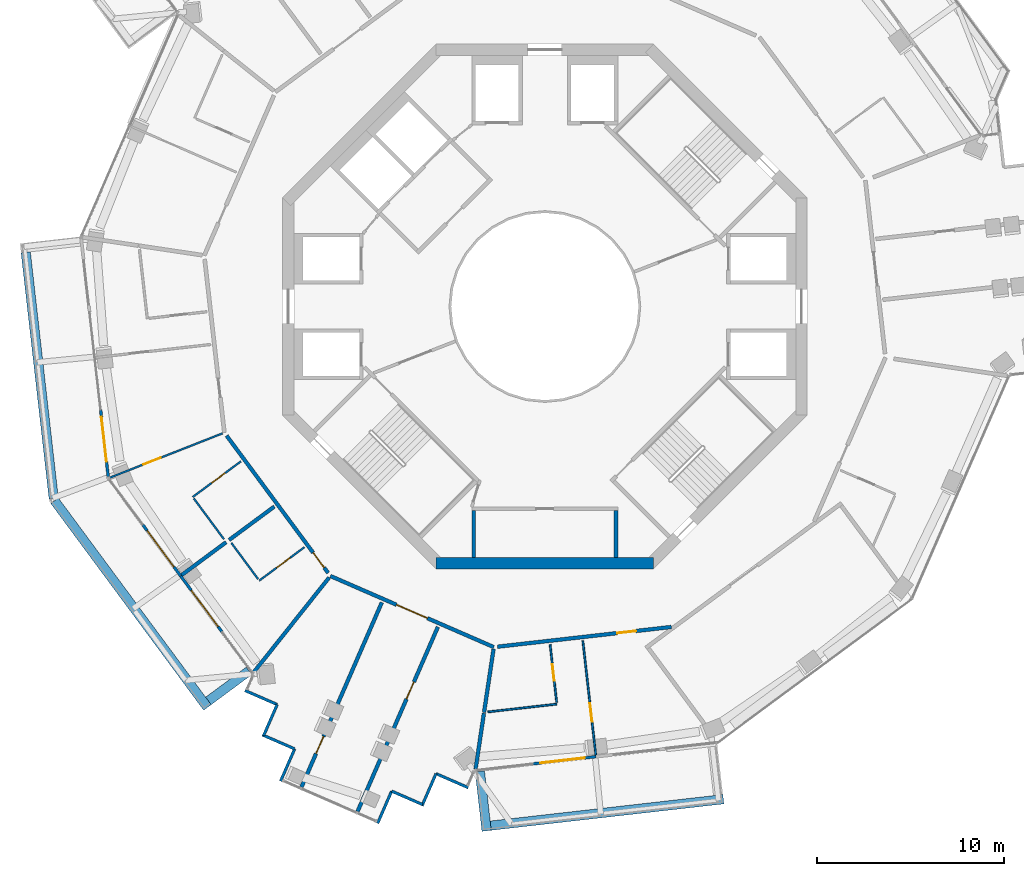
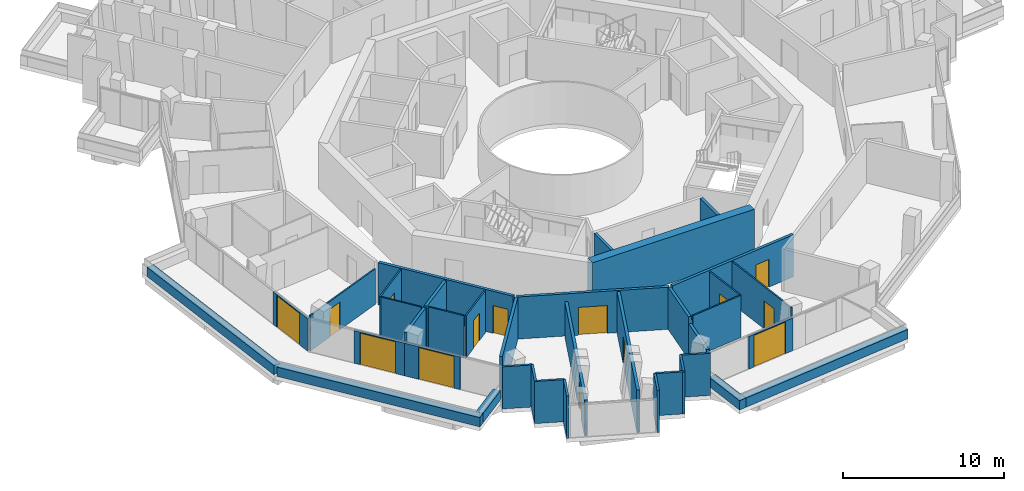
# One storey, part 15 of 23: 38 walls, 14 doors, 14 openings.
"""IFC4 building model written with IfcOpenShell, lengths in metres."""

from ifc_helpers import new_model, si_unit, direction, frame, frame_2d, origin, place, context, subcontext, project, spatial, rectangle, extrude, material, layer, layer_set, type_object, element, fill, save


model = new_model("IFC4")

# Units and contexts
model_context = context("Model", 3, precision=1e-05, world=origin(), true_north=direction((0.0, 1.0)))
body_context = subcontext(model_context, "Body", "Model", "MODEL_VIEW")
ifc_project = project(units=[si_unit("LENGTHUNIT", "METRE"), si_unit("AREAUNIT", "SQUARE_METRE"), si_unit("VOLUMEUNIT", "CUBIC_METRE"), si_unit("PLANEANGLEUNIT", "RADIAN"), si_unit("MASSUNIT", "GRAM", prefix="KILO")], contexts=[model_context])

# Site, building, storey
site_placement = place(None, origin())
site = spatial("IfcSite", under=ifc_project, at=site_placement, CompositionType="ELEMENT")
building_placement = place(site_placement, origin())
building = spatial("IfcBuilding", under=site, at=building_placement, Name="Verdalira Terraces Hotel", CompositionType="ELEMENT")
storey_placement = place(building_placement, frame((0.0, 0.0, 183.5)))
storey = spatial("IfcBuildingStorey", under=building, at=storey_placement, Name="L44", CompositionType="ELEMENT", Elevation=183.5)

# Walls
ifc_material_1 = material(Name="Concrete C40", Category="concrete")
ifc_layer_1 = layer(ifc_material_1, 0.5)
ifc_layer_set_1 = layer_set([ifc_layer_1], Name="Balcony planter trough with tree")
wall_type_1 = type_object("IfcWallType", Name="Balcony planter trough with tree", PredefinedType="SOLIDWALL", material=ifc_layer_set_1)
wall_1_placement = place(storey_placement, frame((-27.71167, 2.891113, 0.0), z_axis=(0.0, 0.0, 1.0), x_axis=(0.112860806, -0.993610808, 0.0)))
element("IfcWall", 1, at=wall_1_placement, inside=storey, type_object=wall_type_1, Name="Balcony planter", PredefinedType="SOLIDWALL", context=body_context, shape_type="SweptSolid", body=[
    extrude(rectangle(XDim=13.223633, YDim=0.5, at=frame_2d((6.611816, 0.0))), origin(), (0.0, 0.0, 1.0), 0.699951),
])
wall_2_placement = place(storey_placement, frame((-26.171875, -10.368408, 0.0), z_axis=(0.0, 0.0, 1.0), x_axis=(0.594546616, -0.804061143, 0.0)))
element("IfcWall", 2, at=wall_2_placement, inside=storey, type_object=wall_type_1, Name="Balcony planter", PredefinedType="SOLIDWALL", context=body_context, shape_type="SweptSolid", body=[
    extrude(rectangle(XDim=13.723389, YDim=0.5, at=frame_2d((6.861816, 0.0))), origin(), (0.0, 0.0, 1.0), 0.699951),
])
wall_3_placement = place(storey_placement, frame((-17.960449, -21.053223, 0.0), z_axis=(0.0, 0.0, 1.0), x_axis=(0.804052053, 0.594558909, 0.0)))
element("IfcWall", 3, at=wall_3_placement, inside=storey, type_object=wall_type_1, Name="Balcony planter", PredefinedType="SOLIDWALL", context=body_context, shape_type="SweptSolid", body=[
    extrude(rectangle(XDim=2.698975, YDim=0.5, at=frame_2d((1.349609, 0.0))), origin(), (0.0, 0.0, 1.0), 0.699951),
])
wall_4_placement = place(storey_placement, frame((-3.472168, -24.809814, 0.0), z_axis=(0.0, 0.0, 1.0), x_axis=(0.112801803, -0.993617508, 0.0)))
element("IfcWall", 4, at=wall_4_placement, inside=storey, type_object=wall_type_1, Name="Balcony planter", PredefinedType="SOLIDWALL", context=body_context, shape_type="SweptSolid", body=[
    extrude(rectangle(XDim=3.198975, YDim=0.5, at=frame_2d((1.599609, 0.0))), origin(), (0.0, 0.0, 1.0), 0.699951),
])
wall_5_placement = place(storey_placement, frame((-2.891113, -27.71167, 0.0), z_axis=(0.0, 0.0, 1.0), x_axis=(0.993611876, 0.112851403, 0.0)))
element("IfcWall", 5, at=wall_5_placement, inside=storey, type_object=wall_type_1, Name="Balcony planter", PredefinedType="SOLIDWALL", context=body_context, shape_type="SweptSolid", body=[
    extrude(rectangle(XDim=12.5, YDim=0.5, at=frame_2d((6.25, 0.0))), origin(), (0.0, 0.0, 1.0), 0.699951),
])
ifc_material_2 = material(Name="Moisture-resistant gypsum board partition")
ifc_layer_2 = layer(ifc_material_2, 0.10009765625)
ifc_layer_set_2 = layer_set([ifc_layer_2], Name="Bathroom partition 100 mm")
wall_type_2 = type_object("IfcWallType", Name="Bathroom partition 100 mm", PredefinedType="PARTITIONING", material=ifc_layer_set_2)
wall_6_placement = place(storey_placement, frame((-18.736816, -10.247803, 0.0), z_axis=(0.0, 0.0, 1.0), x_axis=(0.594546144, -0.804061492, 0.0)))
element("IfcWall", 6, at=wall_6_placement, inside=storey, type_object=wall_type_2, Name="Bathroom partition", PredefinedType="PARTITIONING", context=body_context, shape_type="SweptSolid", body=[
    extrude(rectangle(XDim=2.699951, YDim=0.100098, at=frame_2d((1.350098, 0.0))), origin(), (0.0, 0.0, 1.0), 3.189941),
])

# Wall, opening, door
wall_7_placement = place(storey_placement, frame((-16.223389, -8.264893, 0.0), z_axis=(0.0, 0.0, 1.0), x_axis=(-0.804092095, -0.594504754, 0.0)))
wall_7 = element("IfcWall", 7, at=wall_7_placement, inside=storey, type_object=wall_type_2, Name="Bathroom partition", PredefinedType="PARTITIONING", context=body_context, shape_type="SweptSolid", body=[
    extrude(rectangle(XDim=3.199951, YDim=0.100098, at=frame_2d((1.600098, 0.0))), origin(), (0.0, 0.0, 1.0), 3.189941),
])
opening_1_placement = place(wall_7_placement, frame((1.050049, 0.0, 0.0)))
opening_1 = element("IfcOpeningElement", 8, at=opening_1_placement, cuts=wall_7, Name="Opening L44-111", PredefinedType="OPENING", context=body_context, shape_type="SweptSolid", body=[
    extrude(rectangle(XDim=0.899902, YDim=2.100098, at=frame_2d((0.449951, 1.050049))), frame((0.0, 0.060059, 0.0), z_axis=(0.0, -1.0, 0.0), x_axis=(1.0, 0.0, 0.0)), (0.0, 0.0, 1.0), 0.120117),
])
ifc_material_3 = material(Name="Timber door", Category="wood")
door_type_1 = type_object("IfcDoorType", Name="Bathroom door 900 x 2100", OperationType="NOTDEFINED", PredefinedType="DOOR", material=ifc_material_3)
door_1_placement = place(opening_1_placement, origin())
door_1 = element("IfcDoor", 9, at=door_1_placement, inside=storey, type_object=door_type_1, Name="Bathroom door 4403", OperationType="SINGLE_SWING_RIGHT", OverallHeight=2.10009765625, OverallWidth=0.89990234375, PredefinedType="DOOR", context=body_context, shape_type="SweptSolid", body=[
    extrude(rectangle(XDim=0.899902, YDim=2.100098, at=frame_2d((0.449951, 1.050049))), frame((0.0, 0.024902, 0.0), z_axis=(0.0, -1.0, 0.0), x_axis=(1.0, 0.0, 0.0)), (0.0, 0.0, 1.0), 0.050049),
])
fill(opening_1, door_1)

# Wall
wall_8_placement = place(storey_placement, frame((-15.305908, -14.55127, 0.0), z_axis=(0.0, 0.0, 1.0), x_axis=(-0.594534052, 0.804070433, 0.0)))
element("IfcWall", 10, at=wall_8_placement, inside=storey, type_object=wall_type_2, Name="Bathroom partition", PredefinedType="PARTITIONING", context=body_context, shape_type="SweptSolid", body=[
    extrude(rectangle(XDim=2.400146, YDim=0.100098, at=frame_2d((1.200195, 0.0))), origin(), (0.0, 0.0, 1.0), 3.189941),
])

# Wall, opening, door
wall_9_placement = place(storey_placement, frame((-15.246582, -14.631592, 0.0), z_axis=(0.0, 0.0, 1.0), x_axis=(0.804044201, 0.594569527, 0.0)))
wall_9 = element("IfcWall", 11, at=wall_9_placement, inside=storey, type_object=wall_type_2, Name="Bathroom partition", PredefinedType="PARTITIONING", context=body_context, shape_type="SweptSolid", body=[
    extrude(rectangle(XDim=3.0, YDim=0.100098, at=frame_2d((1.5, 0.0))), origin(), (0.0, 0.0, 1.0), 3.189941),
])
opening_2_placement = place(wall_9_placement, frame((1.149902, 0.0, 0.0)))
opening_2 = element("IfcOpeningElement", 12, at=opening_2_placement, cuts=wall_9, Name="Opening L44-113", PredefinedType="OPENING", context=body_context, shape_type="SweptSolid", body=[
    extrude(rectangle(XDim=0.899902, YDim=2.100098, at=frame_2d((0.449951, 1.050049))), frame((0.0, 0.060059, 0.0), z_axis=(0.0, -1.0, 0.0), x_axis=(1.0, 0.0, 0.0)), (0.0, 0.0, 1.0), 0.120117),
])
door_2_placement = place(opening_2_placement, origin())
door_2 = element("IfcDoor", 13, at=door_2_placement, inside=storey, type_object=door_type_1, Name="Bathroom door 4404", OperationType="SINGLE_SWING_LEFT", OverallHeight=2.10009765625, OverallWidth=0.89990234375, PredefinedType="DOOR", context=body_context, shape_type="SweptSolid", body=[
    extrude(rectangle(XDim=0.899902, YDim=2.100098, at=frame_2d((0.449951, 1.050049))), frame((0.0, 0.024902, 0.0), z_axis=(0.0, -1.0, 0.0), x_axis=(1.0, 0.0, 0.0)), (0.0, 0.0, 1.0), 0.050049),
])
fill(opening_2, door_2)

# Wall
wall_10_placement = place(storey_placement, frame((-3.039551, -21.639648, 0.0), z_axis=(0.0, 0.0, 1.0), x_axis=(0.993613151, 0.11284018, 0.0)))
element("IfcWall", 14, at=wall_10_placement, inside=storey, type_object=wall_type_2, Name="Bathroom partition", PredefinedType="PARTITIONING", context=body_context, shape_type="SweptSolid", body=[
    extrude(rectangle(XDim=3.704102, YDim=0.100098, at=frame_2d((1.852051, 0.0))), origin(), (0.0, 0.0, 1.0), 3.189941),
])

# Wall, opening, door
wall_11_placement = place(storey_placement, frame((0.629395, -21.122314, 0.0), z_axis=(0.0, 0.0, 1.0), x_axis=(-0.112851377, 0.993611879, 0.0)))
wall_11 = element("IfcWall", 15, at=wall_11_placement, inside=storey, type_object=wall_type_2, Name="Bathroom partition", PredefinedType="PARTITIONING", context=body_context, shape_type="SweptSolid", body=[
    extrude(rectangle(XDim=3.100098, YDim=0.100098, at=frame_2d((1.550049, 0.0))), origin(), (0.0, 0.0, 1.0), 3.189941),
])
opening_3_placement = place(wall_11_placement, frame((1.149902, 0.0, 0.0)))
opening_3 = element("IfcOpeningElement", 16, at=opening_3_placement, cuts=wall_11, Name="Opening L44-119", PredefinedType="OPENING", context=body_context, shape_type="SweptSolid", body=[
    extrude(rectangle(XDim=0.899902, YDim=2.100098, at=frame_2d((0.449951, 1.050049))), frame((0.0, 0.060059, 0.0), z_axis=(0.0, -1.0, 0.0), x_axis=(1.0, 0.0, 0.0)), (0.0, 0.0, 1.0), 0.120117),
])
door_3_placement = place(opening_3_placement, origin())
door_3 = element("IfcDoor", 17, at=door_3_placement, inside=storey, type_object=door_type_1, Name="Bathroom door 4406", OperationType="SINGLE_SWING_LEFT", OverallHeight=2.10009765625, OverallWidth=0.89990234375, PredefinedType="DOOR", context=body_context, shape_type="SweptSolid", body=[
    extrude(rectangle(XDim=0.899902, YDim=2.100098, at=frame_2d((0.449951, 1.050049))), frame((0.0, 0.024902, 0.0), z_axis=(0.0, -1.0, 0.0), x_axis=(1.0, 0.0, 0.0)), (0.0, 0.0, 1.0), 0.050049),
])
fill(opening_3, door_3)

wall_12_placement = place(storey_placement, frame((2.720703, -23.954346, 0.0), z_axis=(0.0, 0.0, 1.0), x_axis=(-0.112858027, 0.993611124, 0.0)))
wall_12 = element("IfcWall", 18, at=wall_12_placement, inside=storey, type_object=wall_type_2, Name="Bathroom partition", PredefinedType="PARTITIONING", context=body_context, shape_type="SweptSolid", body=[
    extrude(rectangle(XDim=6.150146, YDim=0.100098, at=frame_2d((3.075195, 0.0))), origin(), (0.0, 0.0, 1.0), 3.189941),
])
opening_4_placement = place(wall_12_placement, frame((1.800049, 0.0, 0.0)))
opening_4 = element("IfcOpeningElement", 19, at=opening_4_placement, cuts=wall_12, Name="Opening L44-118", PredefinedType="OPENING", context=body_context, shape_type="SweptSolid", body=[
    extrude(rectangle(XDim=1.0, YDim=2.100098, at=frame_2d((0.5, 1.050049))), frame((0.0, 0.060059, 0.0), z_axis=(0.0, -1.0, 0.0), x_axis=(1.0, 0.0, 0.0)), (0.0, 0.0, 1.0), 0.120117),
])
ifc_material_4 = material(Name="Timber door", Category="wood")
door_type_2 = type_object("IfcDoorType", Name="Suite internal door 1000 x 2100", OperationType="NOTDEFINED", PredefinedType="DOOR", material=ifc_material_4)
door_4_placement = place(opening_4_placement, origin())
door_4 = element("IfcDoor", 20, at=door_4_placement, inside=storey, type_object=door_type_2, Name="Suite internal door 4406", OperationType="SINGLE_SWING_LEFT", OverallHeight=2.10009765625, OverallWidth=1.0, PredefinedType="DOOR", context=body_context, shape_type="SweptSolid", body=[
    extrude(rectangle(XDim=1.0, YDim=2.100098, at=frame_2d((0.5, 1.050049))), frame((0.0, 0.024902, 0.0), z_axis=(0.0, -1.0, 0.0), x_axis=(1.0, 0.0, 0.0)), (0.0, 0.0, 1.0), 0.050049),
])
fill(opening_4, door_4)

ifc_material_5 = material(Name="Moisture-resistant gypsum board partition")
ifc_layer_3 = layer(ifc_material_5, 0.10009765625)
ifc_layer_set_3 = layer_set([ifc_layer_3], Name="Bathroom partition 100 mm to beam soffit")
wall_type_3 = type_object("IfcWallType", Name="Bathroom partition 100 mm to beam soffit", PredefinedType="PARTITIONING", material=ifc_layer_set_3)
wall_13_placement = place(storey_placement, frame((-17.204102, -6.77002, 0.0), z_axis=(0.0, 0.0, 1.0), x_axis=(-0.930544683, -0.366178362, 0.0)))
wall_13 = element("IfcWall", 21, at=wall_13_placement, inside=storey, type_object=wall_type_3, Name="Bathroom partition", PredefinedType="PARTITIONING", context=body_context, shape_type="SweptSolid", body=[
    extrude(rectangle(XDim=6.47583, YDim=0.100098, at=frame_2d((3.237793, 0.0))), origin(), (0.0, 0.0, 1.0), 2.689941),
])
opening_5_placement = place(wall_13_placement, frame((3.550049, 0.0, 0.0)))
opening_5 = element("IfcOpeningElement", 22, at=opening_5_placement, cuts=wall_13, Name="Opening L44-109", PredefinedType="OPENING", context=body_context, shape_type="SweptSolid", body=[
    extrude(rectangle(XDim=1.0, YDim=2.100098, at=frame_2d((0.5, 1.050049))), frame((0.0, 0.060059, 0.0), z_axis=(0.0, -1.0, 0.0), x_axis=(1.0, 0.0, 0.0)), (0.0, 0.0, 1.0), 0.120117),
])
door_5_placement = place(opening_5_placement, origin())
door_5 = element("IfcDoor", 23, at=door_5_placement, inside=storey, type_object=door_type_2, Name="Suite internal door 4403", OperationType="SINGLE_SWING_LEFT", OverallHeight=2.10009765625, OverallWidth=1.0, PredefinedType="DOOR", context=body_context, shape_type="SweptSolid", body=[
    extrude(rectangle(XDim=1.0, YDim=2.100098, at=frame_2d((0.5, 1.050049))), frame((0.0, 0.024902, 0.0), z_axis=(0.0, -1.0, 0.0), x_axis=(1.0, 0.0, 0.0)), (0.0, 0.0, 1.0), 0.050049),
])
fill(opening_5, door_5)

# Walls
ifc_material_6 = material(Name="Concrete C50", Category="concrete")
ifc_layer_4 = layer(ifc_material_6, 0.199951171875)
ifc_layer_set_4 = layer_set([ifc_layer_4], Name="Core RC wall 200 C50")
wall_type_4 = type_object("IfcWallType", Name="Core RC wall 200 C50", PredefinedType="SOLIDWALL", material=ifc_layer_set_4)
for number, where, z_axis, x_axis, name in (
    (24, (-3.800049, -10.899902, 0.0), (0.0, 0.0, 1.0), (0.0, -1.0, 0.0), "L44 store side wall"),
    (25, (3.800049, -10.899902, 0.0), (0.0, 0.0, 1.0), (0.0, -1.0, 0.0), "L44 store side wall"),
):
    element("IfcWall", number, at=place(storey_placement, frame(where, z_axis=z_axis, x_axis=x_axis)), inside=storey, type_object=wall_type_4, Name=name, PredefinedType="SOLIDWALL", context=body_context, shape_type="SweptSolid", body=[
        extrude(rectangle(XDim=2.5, YDim=0.199951, at=frame_2d((1.25, 0.0))), origin(), (0.0, 0.0, 1.0), 3.189941),
    ])
ifc_material_7 = material(Name="Concrete C60", Category="concrete")
ifc_layer_5 = layer(ifc_material_7, 0.60009765625)
ifc_layer_set_5 = layer_set([ifc_layer_5], Name="Core wall 600 C60")
wall_type_5 = type_object("IfcWallType", Name="Core wall 600 C60", PredefinedType="SHEAR", material=ifc_layer_set_5)
wall_14_placement = place(storey_placement, frame((-5.799072, -13.699951, 0.0), z_axis=(0.0, 0.0, 1.0), x_axis=(1.0, 0.0, 0.0)))
element("IfcWall", 26, at=wall_14_placement, inside=storey, type_object=wall_type_5, Name="Core wall CW-L44-7", PredefinedType="SHEAR", context=body_context, shape_type="SweptSolid", body=[
    extrude(rectangle(XDim=11.598145, YDim=0.600098, at=frame_2d((5.799072, 0.0))), origin(), (0.0, 0.0, 1.0), 3.5),
])
ifc_material_8 = material(Name="Fire-rated gypsum board wall")
ifc_layer_6 = layer(ifc_material_8, 0.199951171875)
ifc_layer_set_6 = layer_set([ifc_layer_6], Name="Demising wall 200 mm")
wall_type_6 = type_object("IfcWallType", Name="Demising wall 200 mm", PredefinedType="SOLIDWALL", material=ifc_layer_set_6)
wall_15_placement = place(storey_placement, frame((-17.012695, -12.57959, 0.0), z_axis=(0.0, 0.0, 1.0), x_axis=(-0.804072935, -0.594530668, 0.0)))
element("IfcWall", 27, at=wall_15_placement, inside=storey, type_object=wall_type_6, Name="Demising wall", PredefinedType="SOLIDWALL", context=body_context, shape_type="SweptSolid", body=[
    extrude(rectangle(XDim=2.949951, YDim=0.199951, at=frame_2d((1.475098, 0.0))), origin(), (0.0, 0.0, 1.0), 3.189941),
])
wall_16_placement = place(storey_placement, frame((-14.439697, -10.677002, 0.0), z_axis=(0.0, 0.0, 1.0), x_axis=(-0.804051056, -0.594560258, 0.0)))
element("IfcWall", 28, at=wall_16_placement, inside=storey, type_object=wall_type_6, Name="Demising wall", PredefinedType="SOLIDWALL", context=body_context, shape_type="SweptSolid", body=[
    extrude(rectangle(XDim=3.001953, YDim=0.199951, at=frame_2d((1.500977, 0.0))), origin(), (0.0, 0.0, 1.0), 3.189941),
])
wall_17_placement = place(storey_placement, frame((-15.547363, -19.531738, 0.0), z_axis=(0.0, 0.0, 1.0), x_axis=(0.622775952, 0.782400226, 0.0)))
element("IfcWall", 29, at=wall_17_placement, inside=storey, type_object=wall_type_6, Name="Demising wall", PredefinedType="SOLIDWALL", context=body_context, shape_type="SweptSolid", body=[
    extrude(rectangle(XDim=6.47583, YDim=0.199951, at=frame_2d((3.237793, 0.0))), origin(), (0.0, 0.0, 1.0), 3.189941),
])

# Wall, opening, door
wall_18_placement = place(storey_placement, frame((-5.709717, -17.100586, 0.0), z_axis=(0.0, 0.0, 1.0), x_axis=(-0.399071545, -0.91691979, 0.0)))
wall_18 = element("IfcWall", 30, at=wall_18_placement, inside=storey, type_object=wall_type_6, Name="Demising wall", PredefinedType="SOLIDWALL", context=body_context, shape_type="SweptSolid", body=[
    extrude(rectangle(XDim=10.75, YDim=0.199951, at=frame_2d((5.375, 0.0))), origin(), (0.0, 0.0, 1.0), 3.189941),
])
opening_6_placement = place(wall_18_placement, frame((3.199951, 0.0, 0.0)))
opening_6 = element("IfcOpeningElement", 31, at=opening_6_placement, cuts=wall_18, Name="Opening L44-116", PredefinedType="OPENING", context=body_context, shape_type="SweptSolid", body=[
    extrude(rectangle(XDim=1.0, YDim=2.100098, at=frame_2d((0.5, 1.050049))), frame((0.0, 0.109863, 0.0), z_axis=(0.0, -1.0, 0.0), x_axis=(1.0, 0.0, 0.0)), (0.0, 0.0, 1.0), 0.219971),
])
ifc_material_9 = material(Name="Timber fire door", Category="wood")
door_type_3 = type_object("IfcDoorType", Name="Public room door 1000 x 2100", OperationType="NOTDEFINED", PredefinedType="DOOR", material=ifc_material_9)
door_6_placement = place(opening_6_placement, origin())
door_6 = element("IfcDoor", 32, at=door_6_placement, inside=storey, type_object=door_type_3, Name="Public room door 4405", OperationType="SINGLE_SWING_LEFT", OverallHeight=2.10009765625, OverallWidth=1.0, PredefinedType="DOOR", context=body_context, shape_type="SweptSolid", body=[
    extrude(rectangle(XDim=1.0, YDim=2.100098, at=frame_2d((0.5, 1.050049))), frame((0.0, 0.024902, 0.0), z_axis=(0.0, -1.0, 0.0), x_axis=(1.0, 0.0, 0.0)), (0.0, 0.0, 1.0), 0.050049),
])
fill(opening_6, door_6)

# Wall
wall_19_placement = place(storey_placement, frame((-2.739014, -18.28418, 0.0), z_axis=(0.0, 0.0, 1.0), x_axis=(-0.148186795, -0.988959389, 0.0)))
element("IfcWall", 33, at=wall_19_placement, inside=storey, type_object=wall_type_6, Name="Demising wall", PredefinedType="SOLIDWALL", context=body_context, shape_type="SweptSolid", body=[
    extrude(rectangle(XDim=3.418701, YDim=0.199951, at=frame_2d((1.709473, 0.0))), origin(), (0.0, 0.0, 1.0), 3.189941),
])

# Wall, opening, door
ifc_material_10 = material(Name="Fire-rated gypsum board wall")
ifc_layer_7 = layer(ifc_material_10, 0.199951171875)
ifc_layer_set_7 = layer_set([ifc_layer_7], Name="Demising wall 200 mm to beam soffit")
wall_type_7 = type_object("IfcWallType", Name="Demising wall 200 mm to beam soffit", PredefinedType="SOLIDWALL", material=ifc_layer_set_7)
wall_20_placement = place(storey_placement, frame((-12.993164, -25.654541, 0.0), z_axis=(0.0, 0.0, 1.0), x_axis=(0.399071545, 0.91691979, 0.0)))
wall_20 = element("IfcWall", 34, at=wall_20_placement, inside=storey, type_object=wall_type_7, Name="Demising wall", PredefinedType="SOLIDWALL", context=body_context, shape_type="SweptSolid", body=[
    extrude(rectangle(XDim=10.75, YDim=0.199951, at=frame_2d((5.375, 0.0))), origin(), (0.0, 0.0, 1.0), 2.689941),
])
opening_7_placement = place(wall_20_placement, frame((1.949951, 0.0, 0.0)))
opening_7 = element("IfcOpeningElement", 35, at=opening_7_placement, cuts=wall_20, Name="Opening L44-115", PredefinedType="OPENING", context=body_context, shape_type="SweptSolid", body=[
    extrude(rectangle(XDim=1.0, YDim=2.100098, at=frame_2d((0.5, 1.050049))), frame((0.0, 0.109863, 0.0), z_axis=(0.0, -1.0, 0.0), x_axis=(1.0, 0.0, 0.0)), (0.0, 0.0, 1.0), 0.219971),
])
door_7_placement = place(opening_7_placement, origin())
door_7 = element("IfcDoor", 36, at=door_7_placement, inside=storey, type_object=door_type_3, Name="Public room door 4405", OperationType="SINGLE_SWING_LEFT", OverallHeight=2.10009765625, OverallWidth=1.0, PredefinedType="DOOR", context=body_context, shape_type="SweptSolid", body=[
    extrude(rectangle(XDim=1.0, YDim=2.100098, at=frame_2d((0.5, 1.050049))), frame((0.0, 0.024902, 0.0), z_axis=(0.0, -1.0, 0.0), x_axis=(1.0, 0.0, 0.0)), (0.0, 0.0, 1.0), 0.050049),
])
fill(opening_7, door_7)

# Wall
wall_21_placement = place(storey_placement, frame((-3.252441, -21.710449, 0.0), z_axis=(0.0, 0.0, 1.0), x_axis=(-0.148114484, -0.988970222, 0.0)))
element("IfcWall", 37, at=wall_21_placement, inside=storey, type_object=wall_type_7, Name="Demising wall", PredefinedType="SOLIDWALL", context=body_context, shape_type="SweptSolid", body=[
    extrude(rectangle(XDim=3.011475, YDim=0.199951, at=frame_2d((1.505859, 0.0))), origin(), (0.0, 0.0, 1.0), 2.689941),
])

# Wall, opening, door
ifc_material_11 = material(Name="Fire-rated gypsum board wall")
ifc_layer_8 = layer(ifc_material_11, 0.199951171875)
ifc_layer_set_8 = layer_set([ifc_layer_8], Name="Guest corridor wall 200 mm")
wall_type_8 = type_object("IfcWallType", Name="Guest corridor wall 200 mm", PredefinedType="SOLIDWALL", material=ifc_layer_set_8)
wall_22_placement = place(storey_placement, frame((-11.568604, -14.223389, 0.0), z_axis=(0.0, 0.0, 1.0), x_axis=(-0.594544652, 0.804062595, 0.0)))
wall_22 = element("IfcWall", 38, at=wall_22_placement, inside=storey, type_object=wall_type_8, Name="Guest corridor wall", PredefinedType="SOLIDWALL", context=body_context, shape_type="SweptSolid", body=[
    extrude(rectangle(XDim=9.116943, YDim=0.199951, at=frame_2d((4.558594, 0.0))), origin(), (0.0, 0.0, 1.0), 3.189941),
])
opening_8_placement = place(wall_22_placement, frame((0.350098, 0.0, 0.0)))
opening_8 = element("IfcOpeningElement", 39, at=opening_8_placement, cuts=wall_22, Name="Opening L44-112", PredefinedType="OPENING", context=body_context, shape_type="SweptSolid", body=[
    extrude(rectangle(XDim=1.0, YDim=2.100098, at=frame_2d((0.5, 1.050049))), frame((0.0, 0.109863, 0.0), z_axis=(0.0, -1.0, 0.0), x_axis=(1.0, 0.0, 0.0)), (0.0, 0.0, 1.0), 0.219971),
])
ifc_material_12 = material(Name="Timber fire door", Category="wood")
door_type_4 = type_object("IfcDoorType", Name="Guest entry door 1000 x 2100", OperationType="NOTDEFINED", PredefinedType="DOOR", material=ifc_material_12)
door_8_placement = place(opening_8_placement, origin())
door_8 = element("IfcDoor", 40, at=door_8_placement, inside=storey, type_object=door_type_4, Name="Guest entry door 4404", OperationType="SINGLE_SWING_LEFT", OverallHeight=2.10009765625, OverallWidth=1.0, PredefinedType="DOOR", context=body_context, shape_type="SweptSolid", body=[
    extrude(rectangle(XDim=1.0, YDim=2.100098, at=frame_2d((0.5, 1.050049))), frame((0.0, 0.024902, 0.0), z_axis=(0.0, -1.0, 0.0), x_axis=(1.0, 0.0, 0.0)), (0.0, 0.0, 1.0), 0.050049),
])
fill(opening_8, door_8)

wall_23_placement = place(storey_placement, frame((-2.723877, -18.181885, 0.0), z_axis=(0.0, 0.0, 1.0), x_axis=(-0.916915816, 0.399080676, 0.0)))
wall_23 = element("IfcWall", 41, at=wall_23_placement, inside=storey, type_object=wall_type_8, Name="Guest corridor wall", PredefinedType="SOLIDWALL", context=body_context, shape_type="SweptSolid", body=[
    extrude(rectangle(XDim=9.516602, YDim=0.199951, at=frame_2d((4.758301, 0.0))), origin(), (0.0, 0.0, 1.0), 3.189941),
])
opening_9_placement = place(wall_23_placement, frame((3.869385, 0.0, 0.0)))
opening_9 = element("IfcOpeningElement", 42, at=opening_9_placement, cuts=wall_23, Name="Opening L44-114", PredefinedType="OPENING", context=body_context, shape_type="SweptSolid", body=[
    extrude(rectangle(XDim=1.800049, YDim=2.100098, at=frame_2d((0.899902, 1.050049))), frame((0.0, 0.109863, 0.0), z_axis=(0.0, -1.0, 0.0), x_axis=(1.0, 0.0, 0.0)), (0.0, 0.0, 1.0), 0.219971),
])
ifc_material_13 = material(Name="Timber fire door", Category="wood")
door_type_5 = type_object("IfcDoorType", Name="Public room double door 1800 x 2100", OperationType="NOTDEFINED", PredefinedType="DOOR", material=ifc_material_13)
door_9_placement = place(opening_9_placement, origin())
door_9 = element("IfcDoor", 43, at=door_9_placement, inside=storey, type_object=door_type_5, Name="Public room double door 4405", OperationType="DOUBLE_DOOR_SINGLE_SWING", OverallHeight=2.10009765625, OverallWidth=1.800048828125, PredefinedType="DOOR", context=body_context, shape_type="SweptSolid", body=[
    extrude(rectangle(XDim=1.800049, YDim=2.100098, at=frame_2d((0.899902, 1.050049))), frame((0.0, 0.024902, 0.0), z_axis=(0.0, -1.0, 0.0), x_axis=(1.0, 0.0, 0.0)), (0.0, 0.0, 1.0), 0.050049),
])
fill(opening_9, door_9)

wall_24_placement = place(storey_placement, frame((6.751953, -17.105713, 0.0), z_axis=(0.0, 0.0, 1.0), x_axis=(-0.993614252, -0.112830482, 0.0)))
wall_24 = element("IfcWall", 44, at=wall_24_placement, inside=storey, type_object=wall_type_8, Name="Guest corridor wall", PredefinedType="SOLIDWALL", context=body_context, shape_type="SweptSolid", body=[
    extrude(rectangle(XDim=9.33667, YDim=0.199951, at=frame_2d((4.668457, 0.0))), origin(), (0.0, 0.0, 1.0), 3.189941),
])
opening_10_placement = place(wall_24_placement, frame((1.899902, 0.0, 0.0)))
opening_10 = element("IfcOpeningElement", 45, at=opening_10_placement, cuts=wall_24, Name="Opening L44-117", PredefinedType="OPENING", context=body_context, shape_type="SweptSolid", body=[
    extrude(rectangle(XDim=1.0, YDim=2.100098, at=frame_2d((0.5, 1.050049))), frame((0.0, 0.109863, 0.0), z_axis=(0.0, -1.0, 0.0), x_axis=(1.0, 0.0, 0.0)), (0.0, 0.0, 1.0), 0.219971),
])
door_10_placement = place(opening_10_placement, origin())
door_10 = element("IfcDoor", 46, at=door_10_placement, inside=storey, type_object=door_type_4, Name="Guest entry door 4406", OperationType="SINGLE_SWING_LEFT", OverallHeight=2.10009765625, OverallWidth=1.0, PredefinedType="DOOR", context=body_context, shape_type="SweptSolid", body=[
    extrude(rectangle(XDim=1.0, YDim=2.100098, at=frame_2d((0.5, 1.050049))), frame((0.0, 0.024902, 0.0), z_axis=(0.0, -1.0, 0.0), x_axis=(1.0, 0.0, 0.0)), (0.0, 0.0, 1.0), 0.050049),
])
fill(opening_10, door_10)

# Walls
ifc_material_14 = material(Name="Terracotta cladding", Category="masonry")
ifc_layer_9 = layer(ifc_material_14, 0.14990234375)
ifc_layer_set_9 = layer_set([ifc_layer_9], Name="Terracotta clad wall 150")
wall_type_9 = type_object("IfcWallType", Name="Terracotta clad wall 150", PredefinedType="SOLIDWALL", material=ifc_layer_set_9)
wall_25_placement = place(storey_placement, frame((-16.009766, -20.49707, 0.0), z_axis=(0.0, 0.0, 1.0), x_axis=(0.916914732, -0.399083166, 0.0)))
element("IfcWall", 47, at=wall_25_placement, inside=storey, type_object=wall_type_9, Name="Terracotta cladding wall", PredefinedType="SOLIDWALL", context=body_context, shape_type="SweptSolid", body=[
    extrude(rectangle(XDim=1.875, YDim=0.149902, at=frame_2d((0.9375, 0.0))), origin(), (0.0, 0.0, 1.0), 3.189941),
])
wall_26_placement = place(storey_placement, frame((-14.290527, -21.245361, 0.0), z_axis=(0.0, 0.0, 1.0), x_axis=(-0.399117831, -0.916899644, 0.0)))
element("IfcWall", 48, at=wall_26_placement, inside=storey, type_object=wall_type_9, Name="Terracotta cladding wall", PredefinedType="SOLIDWALL", context=body_context, shape_type="SweptSolid", body=[
    extrude(rectangle(XDim=1.800293, YDim=0.149902, at=frame_2d((0.900146, 0.0))), origin(), (0.0, 0.0, 1.0), 3.189941),
])
for number, where, z_axis, x_axis, name in (
    (49, (-15.077637, -22.865967, 0.0), (0.0, 0.0, 1.0), (0.916914732, -0.399083166, 0.0), "Terracotta cladding wall"),
    (50, (-13.358398, -23.614258, 0.0), (0.0, 0.0, 1.0), (-0.399083166, -0.916914732, 0.0), "Terracotta cladding wall"),
    (51, (-8.92627, -27.588135, 0.0), (0.0, 0.0, 1.0), (0.399083166, 0.916914732, 0.0), "Terracotta cladding wall"),
):
    element("IfcWall", number, at=place(storey_placement, frame(where, z_axis=z_axis, x_axis=x_axis)), inside=storey, type_object=wall_type_9, Name=name, PredefinedType="SOLIDWALL", context=body_context, shape_type="SweptSolid", body=[
        extrude(rectangle(XDim=1.875, YDim=0.149902, at=frame_2d((0.9375, 0.0))), origin(), (0.0, 0.0, 1.0), 3.189941),
    ])
wall_27_placement = place(storey_placement, frame((-8.177979, -25.868896, 0.0), z_axis=(0.0, 0.0, 1.0), x_axis=(0.916949268, -0.399003808, 0.0)))
element("IfcWall", 52, at=wall_27_placement, inside=storey, type_object=wall_type_9, Name="Terracotta cladding wall", PredefinedType="SOLIDWALL", context=body_context, shape_type="SweptSolid", body=[
    extrude(rectangle(XDim=1.800049, YDim=0.149902, at=frame_2d((0.899902, 0.0))), origin(), (0.0, 0.0, 1.0), 3.189941),
])
for number, where, z_axis, x_axis, name in (
    (53, (-6.557373, -26.656006, 0.0), (0.0, 0.0, 1.0), (0.399083166, 0.916914732, 0.0), "Terracotta cladding wall"),
    (54, (-5.809082, -24.936768, 0.0), (0.0, 0.0, 1.0), (0.916914732, -0.399083166, 0.0), "Terracotta cladding wall"),
):
    element("IfcWall", number, at=place(storey_placement, frame(where, z_axis=z_axis, x_axis=x_axis)), inside=storey, type_object=wall_type_9, Name=name, PredefinedType="SOLIDWALL", context=body_context, shape_type="SweptSolid", body=[
        extrude(rectangle(XDim=1.875, YDim=0.149902, at=frame_2d((0.9375, 0.0))), origin(), (0.0, 0.0, 1.0), 3.189941),
    ])

# Wall, opening, door
ifc_material_15 = material(Name="Terracotta cladding", Category="masonry")
ifc_layer_10 = layer(ifc_material_15, 0.14990234375)
ifc_layer_set_10 = layer_set([ifc_layer_10], Name="Terracotta door pier 150")
wall_type_10 = type_object("IfcWallType", Name="Terracotta door pier 150", PredefinedType="SOLIDWALL", material=ifc_layer_set_10)
wall_28_placement = place(storey_placement, frame((-23.713867, -5.502441, 0.0), z_axis=(0.0, 0.0, 1.0), x_axis=(0.112844416, -0.99361267, 0.0)))
wall_28 = element("IfcWall", 55, at=wall_28_placement, inside=storey, type_object=wall_type_10, Name="Terracotta door pier", PredefinedType="SOLIDWALL", context=body_context, shape_type="SweptSolid", body=[
    extrude(rectangle(XDim=3.608643, YDim=0.149902, at=frame_2d((1.804199, 0.0))), origin(), (0.0, 0.0, 1.0), 2.475098),
])
opening_11_placement = place(wall_28_placement, frame((0.399902, 0.0, 0.0)))
opening_11 = element("IfcOpeningElement", 56, at=opening_11_placement, cuts=wall_28, Name="Opening L44-B05", PredefinedType="OPENING", context=body_context, shape_type="SweptSolid", body=[
    extrude(rectangle(XDim=2.399902, YDim=2.399902, at=frame_2d((1.199951, 1.199951))), frame((0.0, 0.084961, 0.0), z_axis=(0.0, -1.0, 0.0), x_axis=(1.0, 0.0, 0.0)), (0.0, 0.0, 1.0), 0.169922),
])
ifc_material_16 = material(Name="Clear glass", Category="glass")
door_type_6 = type_object("IfcDoorType", Name="Balcony sliding door 2400x2400", OperationType="NOTDEFINED", PredefinedType="DOOR", material=ifc_material_16)
door_11_placement = place(opening_11_placement, origin())
door_11 = element("IfcDoor", 57, at=door_11_placement, inside=storey, type_object=door_type_6, Name="Balcony sliding door", OperationType="SLIDING_TO_RIGHT", OverallHeight=2.39990234375, OverallWidth=2.39990234375, PredefinedType="DOOR", context=body_context, shape_type="SweptSolid", body=[
    extrude(rectangle(XDim=2.399902, YDim=2.399902, at=frame_2d((1.199951, 1.199951))), frame((0.0, 0.024902, 0.0), z_axis=(0.0, -1.0, 0.0), x_axis=(1.0, 0.0, 0.0)), (0.0, 0.0, 1.0), 0.050049),
])
fill(opening_11, door_11)

wall_29_placement = place(storey_placement, frame((-21.466309, -11.644287, 0.0), z_axis=(0.0, 0.0, 1.0), x_axis=(0.594528355, -0.804074645, 0.0)))
wall_29 = element("IfcWall", 58, at=wall_29_placement, inside=storey, type_object=wall_type_10, Name="Terracotta door pier", PredefinedType="SOLIDWALL", context=body_context, shape_type="SweptSolid", body=[
    extrude(rectangle(XDim=3.399658, YDim=0.149902, at=frame_2d((1.699707, 0.0))), origin(), (0.0, 0.0, 1.0), 2.475098),
])
opening_12_placement = place(wall_29_placement, frame((0.399902, 0.0, 0.0)))
opening_12 = element("IfcOpeningElement", 59, at=opening_12_placement, cuts=wall_29, Name="Opening L44-B06", PredefinedType="OPENING", context=body_context, shape_type="SweptSolid", body=[
    extrude(rectangle(XDim=2.399902, YDim=2.399902, at=frame_2d((1.199951, 1.199951))), frame((0.0, 0.084961, 0.0), z_axis=(0.0, -1.0, 0.0), x_axis=(1.0, 0.0, 0.0)), (0.0, 0.0, 1.0), 0.169922),
])
door_12_placement = place(opening_12_placement, origin())
door_12 = element("IfcDoor", 60, at=door_12_placement, inside=storey, type_object=door_type_6, Name="Balcony sliding door", OperationType="SLIDING_TO_RIGHT", OverallHeight=2.39990234375, OverallWidth=2.39990234375, PredefinedType="DOOR", context=body_context, shape_type="SweptSolid", body=[
    extrude(rectangle(XDim=2.399902, YDim=2.399902, at=frame_2d((1.199951, 1.199951))), frame((0.0, 0.024902, 0.0), z_axis=(0.0, -1.0, 0.0), x_axis=(1.0, 0.0, 0.0)), (0.0, 0.0, 1.0), 0.050049),
])
fill(opening_12, door_12)

wall_30_placement = place(storey_placement, frame((-19.445068, -14.37793, 0.0), z_axis=(0.0, 0.0, 1.0), x_axis=(0.59454435, -0.804062818, 0.0)))
wall_30 = element("IfcWall", 61, at=wall_30_placement, inside=storey, type_object=wall_type_10, Name="Terracotta door pier", PredefinedType="SOLIDWALL", context=body_context, shape_type="SweptSolid", body=[
    extrude(rectangle(XDim=3.761475, YDim=0.149902, at=frame_2d((1.880859, 0.0))), origin(), (0.0, 0.0, 1.0), 2.475098),
])
opening_13_placement = place(wall_30_placement, frame((0.961182, 0.0, 0.0)))
opening_13 = element("IfcOpeningElement", 62, at=opening_13_placement, cuts=wall_30, Name="Opening L44-B07", PredefinedType="OPENING", context=body_context, shape_type="SweptSolid", body=[
    extrude(rectangle(XDim=2.399902, YDim=2.399902, at=frame_2d((1.199951, 1.199951))), frame((0.0, 0.084961, 0.0), z_axis=(0.0, -1.0, 0.0), x_axis=(1.0, 0.0, 0.0)), (0.0, 0.0, 1.0), 0.169922),
])
door_13_placement = place(opening_13_placement, origin())
door_13 = element("IfcDoor", 63, at=door_13_placement, inside=storey, type_object=door_type_6, Name="Balcony sliding door", OperationType="SLIDING_TO_LEFT", OverallHeight=2.39990234375, OverallWidth=2.39990234375, PredefinedType="DOOR", context=body_context, shape_type="SweptSolid", body=[
    extrude(rectangle(XDim=2.399902, YDim=2.399902, at=frame_2d((1.199951, 1.199951))), frame((0.0, 0.024902, 0.0), z_axis=(0.0, -1.0, 0.0), x_axis=(1.0, 0.0, 0.0)), (0.0, 0.0, 1.0), 0.050049),
])
fill(opening_13, door_13)

wall_31_placement = place(storey_placement, frame((-0.648926, -24.412598, 0.0), z_axis=(0.0, 0.0, 1.0), x_axis=(0.993608367, 0.112882298, 0.0)))
wall_31 = element("IfcWall", 64, at=wall_31_placement, inside=storey, type_object=wall_type_10, Name="Terracotta door pier", PredefinedType="SOLIDWALL", context=body_context, shape_type="SweptSolid", body=[
    extrude(rectangle(XDim=3.399902, YDim=0.149902, at=frame_2d((1.699951, 0.0))), origin(), (0.0, 0.0, 1.0), 2.475098),
])
opening_14_placement = place(wall_31_placement, frame((0.399902, 0.0, 0.0)))
opening_14 = element("IfcOpeningElement", 65, at=opening_14_placement, cuts=wall_31, Name="Opening L44-B08", PredefinedType="OPENING", context=body_context, shape_type="SweptSolid", body=[
    extrude(rectangle(XDim=2.399902, YDim=2.399902, at=frame_2d((1.199951, 1.199951))), frame((0.0, 0.084961, 0.0), z_axis=(0.0, -1.0, 0.0), x_axis=(1.0, 0.0, 0.0)), (0.0, 0.0, 1.0), 0.169922),
])
door_14_placement = place(opening_14_placement, origin())
door_14 = element("IfcDoor", 66, at=door_14_placement, inside=storey, type_object=door_type_6, Name="Balcony sliding door", OperationType="SLIDING_TO_RIGHT", OverallHeight=2.39990234375, OverallWidth=2.39990234375, PredefinedType="DOOR", context=body_context, shape_type="SweptSolid", body=[
    extrude(rectangle(XDim=2.399902, YDim=2.399902, at=frame_2d((1.199951, 1.199951))), frame((0.0, 0.024902, 0.0), z_axis=(0.0, -1.0, 0.0), x_axis=(1.0, 0.0, 0.0)), (0.0, 0.0, 1.0), 0.050049),
])
fill(opening_14, door_14)

save(model, "model.ifc")
